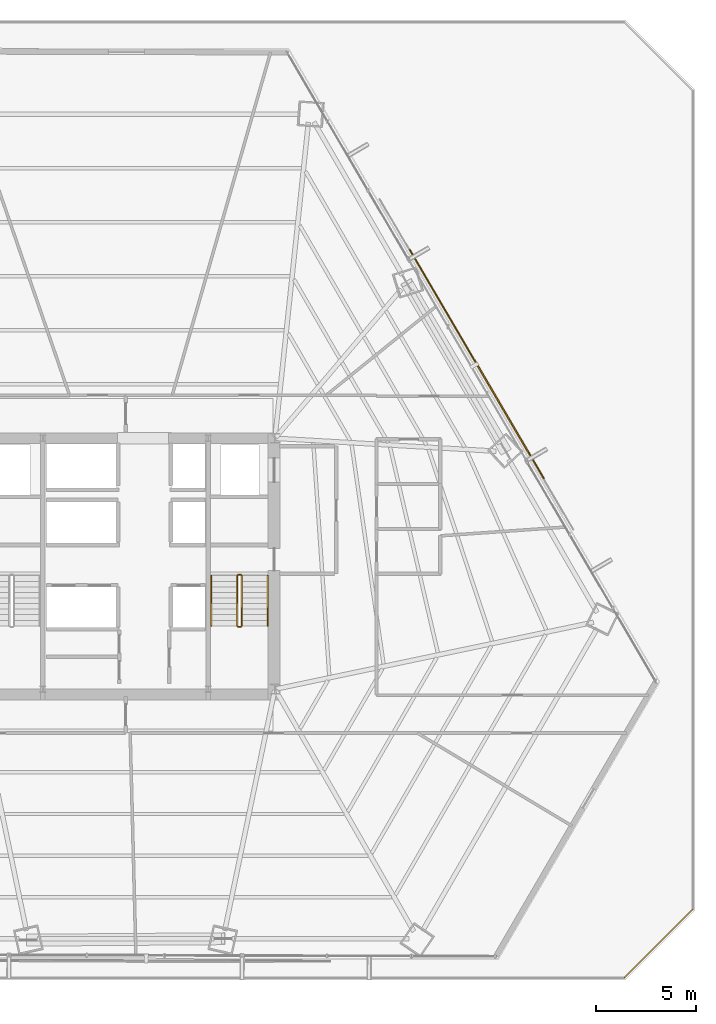
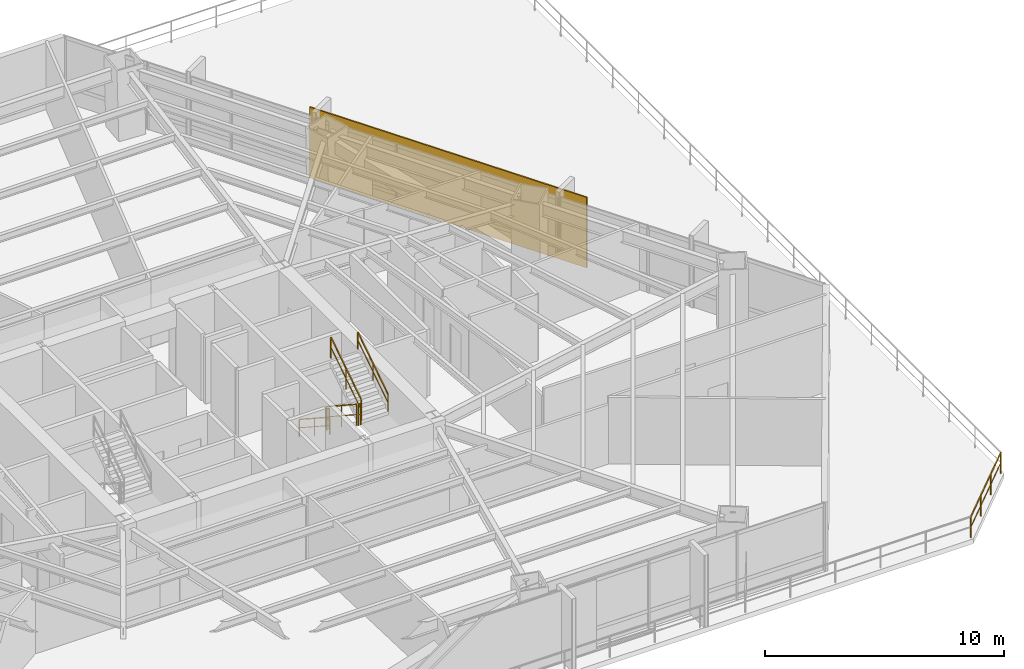
# One storey, part 34 of 35: 7 railings, 1 shading device.
"""IFC4 building model written with IfcOpenShell, lengths in metres."""

import ifcopenshell
import ifcopenshell.guid

model = None  # the IFC model being written
_history = None  # IfcOwnerHistory: only IFC2X3 demands one
_inside = {}  # id of a spatial element -> (the spatial element, [elements in it])
_under = {}  # id of a project, library or spatial element -> (it, [spatial elements below it])
_declared = {}  # id of a project -> (the project, [libraries it declares])
_typed = {}  # id of a type object -> (the type object, [elements of that type])
_made_of = {}  # id of a material, layer set ... -> (it, [elements and type objects made of it])


def new_model(schema):
    """Start an empty IFC model of exactly this schema.

    Asked for "IFC4X3", IfcOpenShell would pick the latest addendum, in which some entities
    have other attributes; the version numbers below select the first issue.
    IFC2X3 requires an IfcOwnerHistory on every rooted entity: one is made here for all.
    """
    global model, _history
    if schema == "IFC4X3":
        model = ifcopenshell.file(schema_version=(4, 3, 0, 0))
    else:
        model = ifcopenshell.file(schema=schema)
    _inside.clear()
    _under.clear()
    _declared.clear()
    _typed.clear()
    _made_of.clear()
    _history = None
    if model.schema == "IFC2X3":
        org = make("IfcOrganization", Name="unknown")
        user = make(
            "IfcPersonAndOrganization",
            ThePerson=make("IfcPerson", FamilyName="unknown"),
            TheOrganization=org,
        )
        app = make(
            "IfcApplication",
            ApplicationDeveloper=org,
            Version="unknown",
            ApplicationFullName="unknown",
            ApplicationIdentifier="unknown",
        )
        _history = make(
            "IfcOwnerHistory",
            OwningUser=user,
            OwningApplication=app,
            ChangeAction="ADDED",
            CreationDate=0,
        )
    return model


def make(cls, **values):
    """One entity of the class cls with the attributes given. An attribute that is None is left unset."""
    return model.create_entity(
        cls, **{name: value for name, value in values.items() if value is not None}
    )


def rooted(cls, **values):
    """An entity with a GlobalId (a new one), such as an element, a storey or a relation."""
    return make(cls, GlobalId=ifcopenshell.guid.new(), OwnerHistory=_history, **values)


def si_unit(unit_type, name, prefix=None):
    """IfcSIUnit, for example si_unit("LENGTHUNIT", "METRE", prefix="MILLI")."""
    return make("IfcSIUnit", UnitType=unit_type, Prefix=prefix, Name=name)


def assignment(units):
    """IfcUnitAssignment: the units of a project."""
    return None if units is None else make("IfcUnitAssignment", Units=units)


def point(xyz):
    """IfcCartesianPoint."""
    return None if xyz is None else make("IfcCartesianPoint", Coordinates=xyz)


def direction(xyz):
    """IfcDirection."""
    return None if xyz is None else make("IfcDirection", DirectionRatios=xyz)


def frame(location, z_axis=None, x_axis=None):
    """IfcAxis2Placement3D, a coordinate frame: its origin and axes. An axis left out is left unset."""
    return make(
        "IfcAxis2Placement3D",
        Location=point(location),
        Axis=direction(z_axis),
        RefDirection=direction(x_axis),
    )


def frame_2d(location, x_axis=None):
    """IfcAxis2Placement2D, a coordinate frame in the plane: its origin and x axis."""
    return make(
        "IfcAxis2Placement2D", Location=point(location), RefDirection=direction(x_axis)
    )


def origin():
    """The frame at (0, 0, 0) with its axes left unset."""
    return frame((0.0, 0.0, 0.0))


def origin_2d():
    """The frame at (0, 0) in the plane with its x axis left unset."""
    return frame_2d((0.0, 0.0))


def place(relative_to, where):
    """IfcLocalPlacement: puts the frame where relative to a parent placement (None: the world)."""
    return make(
        "IfcLocalPlacement", PlacementRelTo=relative_to, RelativePlacement=where
    )


def context(
    kind, dimensions, precision=None, world=None, true_north=None, identifier=None
):
    """IfcGeometricRepresentationContext, for example the 3D "Model" context."""
    return make(
        "IfcGeometricRepresentationContext",
        ContextIdentifier=identifier,
        ContextType=kind,
        CoordinateSpaceDimension=dimensions,
        Precision=precision,
        WorldCoordinateSystem=world,
        TrueNorth=true_north,
    )


def subcontext(parent, identifier, kind, view, scale=None):
    """IfcGeometricRepresentationSubContext, for example "Body" below "Model"."""
    return make(
        "IfcGeometricRepresentationSubContext",
        ContextIdentifier=identifier,
        ContextType=kind,
        ParentContext=parent,
        TargetScale=scale,
        TargetView=view,
    )


def project(units=None, contexts=None):
    """IfcProject with its units and contexts."""
    return rooted(
        "IfcProject",
        Name="project",
        RepresentationContexts=contexts,
        UnitsInContext=assignment(units),
    )


def spatial(cls, under=None, at=None, **own):
    """A site, building, storey or space (cls), placed at a placement, below another one or the project."""
    s = rooted(cls, ObjectPlacement=at, **own)
    if under is not None:
        _under.setdefault(under.id(), (under, []))[1].append(s)
    return s


def profile(cls, at=None, kind="AREA", **sizes):
    """A parametric profile (cls). Its sizes go by their IFC names, for example OverallWidth=200.0."""
    return make(cls, ProfileType=kind, Position=at, **sizes)


def rectangle(**sizes):
    """IfcRectangleProfileDef."""
    return profile("IfcRectangleProfileDef", **sizes)


def extrude(swept, where, along, depth):
    """IfcExtrudedAreaSolid: the profile swept, set in the frame where, extruded along a direction by depth."""
    return make(
        "IfcExtrudedAreaSolid",
        SweptArea=swept,
        Position=where,
        ExtrudedDirection=direction(along),
        Depth=depth,
    )


def shape(context_of_items, identifier, shape_type, items):
    """IfcShapeRepresentation: the items that make up one representation, for example the "Body"."""
    return make(
        "IfcShapeRepresentation",
        ContextOfItems=context_of_items,
        RepresentationIdentifier=identifier,
        RepresentationType=shape_type,
        Items=items,
    )


def source(mapping_origin, context_of_items, identifier, shape_type, items):
    """IfcRepresentationMap: a shape defined once, which mapped items show again and again."""
    return make(
        "IfcRepresentationMap",
        MappingOrigin=mapping_origin,
        MappedRepresentation=shape(context_of_items, identifier, shape_type, items),
    )


def transform(
    local_origin,
    x_axis=None,
    y_axis=None,
    z_axis=None,
    scale=None,
    scale2=None,
    scale3=None,
    uniform=True,
):
    """IfcCartesianTransformationOperator3D, or its non-uniform kind. x_axis, y_axis, z_axis: its Axis1, 2, 3."""
    if uniform:
        return make(
            "IfcCartesianTransformationOperator3D",
            Axis1=direction(x_axis),
            Axis2=direction(y_axis),
            LocalOrigin=point(local_origin),
            Scale=scale,
            Axis3=direction(z_axis),
        )
    return make(
        "IfcCartesianTransformationOperator3DnonUniform",
        Axis1=direction(x_axis),
        Axis2=direction(y_axis),
        LocalOrigin=point(local_origin),
        Scale=scale,
        Axis3=direction(z_axis),
        Scale2=scale2,
        Scale3=scale3,
    )


def mapped(mapping_source, mapping_target):
    """IfcMappedItem: shows the shape of a source again, moved by a transform."""
    return make(
        "IfcMappedItem", MappingSource=mapping_source, MappingTarget=mapping_target
    )


def material(Name=None, Category=None):
    """IfcMaterial."""
    return make("IfcMaterial", Name=Name, Category=Category)


def layer(
    of_material, thickness, ventilated=None, Name=None, Category=None, Priority=None
):
    """IfcMaterialLayer: one layer of a wall or slab, of a material (None: an air gap)."""
    return make(
        "IfcMaterialLayer",
        Material=of_material,
        LayerThickness=thickness,
        IsVentilated=ventilated,
        Name=Name,
        Category=Category,
        Priority=Priority,
    )


def layer_set(layers, Name=None):
    """IfcMaterialLayerSet."""
    return make("IfcMaterialLayerSet", MaterialLayers=layers, LayerSetName=Name)


def made_of(thing, what):
    """Note that an element or type object is made of a material, layer set ...; save() writes the relation."""
    if what is not None:
        _made_of.setdefault(what.id(), (what, []))[1].append(thing)
    return thing


def type_object(cls, material=None, **own):
    """A type object (cls), such as IfcWallType, which elements share."""
    return made_of(rooted(cls, **own), material)


def type_shapes(of_type, sources):
    """Give a type object the sources (RepresentationMaps) that its elements show as mapped items."""
    of_type.RepresentationMaps = sources


def element(
    cls,
    number,
    at=None,
    inside=None,
    cuts=None,
    type_object=None,
    material=None,
    context=None,
    identifier="Body",
    shape_type=None,
    held_by="IfcProductDefinitionShape",
    body=None,
    shapes=None,
    **own,
):
    """One element of the class cls, such as IfcWall. Its Tag is "e" and its number.

    at: its placement. inside: the storey or other place that contains it. cuts: it is an
    opening in that element (IfcRelVoidsElement). A single representation is given by context,
    identifier, shape_type and body (its items); several are given by shapes. held_by: the class
    of the entity that holds the representations. save() writes the other relations.
    """
    e = rooted(cls, Tag="e%d" % number, ObjectPlacement=at, **own)
    if body is not None:
        shapes = [shape(context, identifier, shape_type, body)]
    if shapes is not None:
        e.Representation = make(held_by, Representations=shapes)
    if inside is not None:
        _inside.setdefault(inside.id(), (inside, []))[1].append(e)
    if cuts is not None:
        rooted(
            "IfcRelVoidsElement", RelatingBuildingElement=cuts, RelatedOpeningElement=e
        )
    if type_object is not None:
        _typed.setdefault(type_object.id(), (type_object, []))[1].append(e)
    return made_of(e, material)


def aggregate(whole, parts):
    """IfcRelAggregates: a whole, such as a stair, and the parts it consists of."""
    return rooted("IfcRelAggregates", RelatingObject=whole, RelatedObjects=parts)


def save(model, path):
    """Write the relations noted so far, then the file.

    IfcRelAggregates (storeys below a building ...), IfcRelContainedInSpatialStructure (elements
    in a storey), IfcRelDefinesByType, IfcRelAssociatesMaterial and IfcRelDeclares: one each for
    every whole, place, type object, material and project.
    """
    for whole, parts in _under.values():
        aggregate(whole, parts)
    for where, things in _inside.values():
        rooted(
            "IfcRelContainedInSpatialStructure",
            RelatedElements=things,
            RelatingStructure=where,
        )
    for kind, things in _typed.values():
        rooted("IfcRelDefinesByType", RelatedObjects=things, RelatingType=kind)
    for what, things in _made_of.values():
        rooted("IfcRelAssociatesMaterial", RelatedObjects=things, RelatingMaterial=what)
    for by, libraries in _declared.values():
        rooted("IfcRelDeclares", RelatingContext=by, RelatedDefinitions=libraries)
    model.write(path)


model = new_model("IFC4")

# Units and contexts
model_context = context("Model", 3, precision=1e-05, world=origin(), true_north=direction((0.0, 1.0)))
body_context = subcontext(model_context, "Body", "Model", "MODEL_VIEW")
ifc_project = project(units=[si_unit("LENGTHUNIT", "METRE"), si_unit("AREAUNIT", "SQUARE_METRE"), si_unit("VOLUMEUNIT", "CUBIC_METRE"), si_unit("PLANEANGLEUNIT", "RADIAN"), si_unit("MASSUNIT", "GRAM", prefix="KILO")], contexts=[model_context])

# Site, building, storey
site_placement = place(None, origin())
site = spatial("IfcSite", under=ifc_project, at=site_placement, CompositionType="ELEMENT")
building_placement = place(site_placement, origin())
building = spatial("IfcBuilding", under=site, at=building_placement, Name="Caelisora Broadcast Tower", CompositionType="ELEMENT")
storey_placement = place(building_placement, frame((0.0, 0.0, 27.60009765625)))
storey = spatial("IfcBuildingStorey", under=building, at=storey_placement, Name="L06", CompositionType="ELEMENT", Elevation=27.60009765625)

# Railings
ifc_material_1 = material(Name="Laminated Glass and Stainless Steel Terrace Balustrade", Category="steel")
ifc_layer_1 = layer(ifc_material_1, 0.048095703125, Name="Laminated Glass and Stainless Steel Terrace Balustrade")
ifc_layer_set_1 = layer_set([ifc_layer_1], Name="Laminated Glass and Stainless Steel Terrace Balustrade")
railing_type_1 = type_object("IfcRailingType", Name="BL-1", PredefinedType="BALUSTRADE", material=ifc_layer_set_1)
railing_1_placement = place(storey_placement, frame((66.47998046875, 6.35009765625, 0.0)))
element("IfcRailing", 1, at=railing_1_placement, inside=storey, type_object=railing_type_1, Name="L06 balustrade BL-1 #07", PredefinedType="BALUSTRADE", context=body_context, shape_type="SweptSolid", body=[
    extrude(rectangle(XDim=0.048095703125, YDim=0.048095703125, at=origin_2d()), frame((0.0, 0.0, 1.076171875), z_axis=(-0.707081615901, -0.707131945577, 0.0), x_axis=(0.707131945577, -0.707081615901, 0.0)), (0.0, 0.0, 1.0), 4.850830078125),
    extrude(rectangle(XDim=0.03125, YDim=0.03125, at=origin_2d()), frame((0.0, 0.0, 0.550048828125), z_axis=(-0.707081615901, -0.707131945577, 0.0), x_axis=(0.707131945577, -0.707081615901, 0.0)), (0.0, 0.0, 1.0), 4.850830078125),
    extrude(rectangle(XDim=0.0419921875, YDim=0.0419921875, at=origin_2d()), origin(), (0.0, 0.0, 1.0), 1.052001953125),
    extrude(rectangle(XDim=0.0419921875, YDim=0.0419921875, at=origin_2d()), frame((-1.143310546875, -1.143310546875, 0.0)), (0.0, 0.0, 1.0), 1.052001953125),
    extrude(rectangle(XDim=0.0419921875, YDim=0.0419921875, at=origin_2d()), frame((-2.28662109375, -2.286865234375, 0.0)), (0.0, 0.0, 1.0), 1.052001953125),
    extrude(rectangle(XDim=0.0419921875, YDim=0.0419921875, at=origin_2d()), frame((-3.429931640625, -3.43017578125, 0.0)), (0.0, 0.0, 1.0), 1.052001953125),
])
ifc_material_2 = material(Name="Galvanised Steel Safety Guardrail", Category="steel")
ifc_layer_2 = layer(ifc_material_2, 0.048095703125, Name="Galvanised Steel Safety Guardrail")
ifc_layer_set_2 = layer_set([ifc_layer_2], Name="Galvanised Steel Safety Guardrail")
railing_type_2 = type_object("IfcRailingType", Name="GR-1", PredefinedType="GUARDRAIL", material=ifc_layer_set_2)
railing_2_placement = place(storey_placement, frame((43.610107421875, 23.10009765625, 0.182373046875)))
element("IfcRailing", 2, at=railing_2_placement, inside=storey, type_object=railing_type_2, Name="L06 ST-2 stair guard 1", PredefinedType="GUARDRAIL", context=body_context, shape_type="SweptSolid", body=[
    extrude(rectangle(XDim=0.048095703125, YDim=0.048095703125, at=origin_2d()), frame((0.0, 0.0, 1.076171875), z_axis=(0.0, -0.837749427056, 0.546054848405), x_axis=(1.0, 0.0, 0.0)), (0.0, 0.0, 1.0), 3.008056640625),
    extrude(rectangle(XDim=0.03125, YDim=0.03125, at=origin_2d()), frame((0.0, 0.0, 0.550048828125), z_axis=(0.0, -0.837749427056, 0.546054848405), x_axis=(1.0, 0.0, 0.0)), (0.0, 0.0, 1.0), 3.008056640625),
    extrude(rectangle(XDim=0.0419921875, YDim=0.0419921875, at=origin_2d()), origin(), (0.0, 0.0, 1.0), 1.052001953125),
    extrude(rectangle(XDim=0.0419921875, YDim=0.0419921875, at=origin_2d()), frame((0.0, -1.260009765625, 0.8212890625)), (0.0, 0.0, 1.0), 1.052001953125),
    extrude(rectangle(XDim=0.0419921875, YDim=0.0419921875, at=origin_2d()), frame((0.0, -2.52001953125, 1.642578125)), (0.0, 0.0, 1.0), 1.052001953125),
])
railing_3_placement = place(storey_placement, frame((43.659912109375, 20.530029296875, 1.824951171875)))
element("IfcRailing", 3, at=railing_3_placement, inside=storey, type_object=railing_type_2, Name="L06 ST-2 stair guard 2", PredefinedType="GUARDRAIL", context=body_context, shape_type="SweptSolid", body=[
    extrude(rectangle(XDim=0.048095703125, YDim=0.048095703125, at=origin_2d()), frame((0.0, 0.0, 1.076171875), z_axis=(1.0, 0.0, 0.0), x_axis=(0.0, 1.0, 0.0)), (0.0, 0.0, 1.0), 0.1201171875),
    extrude(rectangle(XDim=0.03125, YDim=0.03125, at=origin_2d()), frame((0.0, 0.0, 0.550048828125), z_axis=(1.0, 0.0, 0.0), x_axis=(0.0, 1.0, 0.0)), (0.0, 0.0, 1.0), 0.1201171875),
    extrude(rectangle(XDim=0.0419921875, YDim=0.0419921875, at=origin_2d()), origin(), (0.0, 0.0, 1.0), 1.052001953125),
    extrude(rectangle(XDim=0.0419921875, YDim=0.0419921875, at=origin_2d()), frame((0.1201171875, 0.0, 0.0)), (0.0, 0.0, 1.0), 1.052001953125),
])
railing_4_placement = place(storey_placement, frame((43.830078125, 20.580078125, 2.00732421875)))
element("IfcRailing", 4, at=railing_4_placement, inside=storey, type_object=railing_type_2, Name="L06 ST-2 stair guard 3", PredefinedType="GUARDRAIL", context=body_context, shape_type="SweptSolid", body=[
    extrude(rectangle(XDim=0.048095703125, YDim=0.048095703125, at=origin_2d()), frame((0.0, 0.0, 1.076171875), z_axis=(0.0, 0.837749427056, 0.546054848405), x_axis=(-1.0, 0.0, 0.0)), (0.0, 0.0, 1.0), 3.008056640625),
    extrude(rectangle(XDim=0.03125, YDim=0.03125, at=origin_2d()), frame((0.0, 0.0, 0.550048828125), z_axis=(0.0, 0.837749427056, 0.546054848405), x_axis=(-1.0, 0.0, 0.0)), (0.0, 0.0, 1.0), 3.008056640625),
    extrude(rectangle(XDim=0.0419921875, YDim=0.0419921875, at=origin_2d()), origin(), (0.0, 0.0, 1.0), 1.052001953125),
    extrude(rectangle(XDim=0.0419921875, YDim=0.0419921875, at=origin_2d()), frame((0.0, 1.260009765625, 0.8212890625)), (0.0, 0.0, 1.0), 1.052001953125),
    extrude(rectangle(XDim=0.0419921875, YDim=0.0419921875, at=origin_2d()), frame((0.0, 2.52001953125, 1.642578125)), (0.0, 0.0, 1.0), 1.052001953125),
])
railing_5_placement = place(storey_placement, frame((43.659912109375, 23.14990234375, 0.0)))
element("IfcRailing", 5, at=railing_5_placement, inside=storey, type_object=railing_type_2, Name="L06 ST-2 stair guard 4", PredefinedType="GUARDRAIL", context=body_context, shape_type="SweptSolid", body=[
    extrude(rectangle(XDim=0.048095703125, YDim=0.048095703125, at=origin_2d()), frame((0.0, 0.0, 1.076171875), z_axis=(1.0, 0.0, 0.0), x_axis=(0.0, 1.0, 0.0)), (0.0, 0.0, 1.0), 0.1201171875),
    extrude(rectangle(XDim=0.03125, YDim=0.03125, at=origin_2d()), frame((0.0, 0.0, 0.550048828125), z_axis=(1.0, 0.0, 0.0), x_axis=(0.0, 1.0, 0.0)), (0.0, 0.0, 1.0), 0.1201171875),
    extrude(rectangle(XDim=0.0419921875, YDim=0.0419921875, at=origin_2d()), origin(), (0.0, 0.0, 1.0), 1.052001953125),
    extrude(rectangle(XDim=0.0419921875, YDim=0.0419921875, at=origin_2d()), frame((0.1201171875, 0.0, 0.0)), (0.0, 0.0, 1.0), 1.052001953125),
])
ifc_material_3 = material(Name="Stainless Steel Grade 316 Tubular Handrail", Category="steel")
ifc_layer_3 = layer(ifc_material_3, 0.048095703125, Name="Stainless Steel Grade 316 Tubular Handrail")
ifc_layer_set_3 = layer_set([ifc_layer_3], Name="Stainless Steel Grade 316 Tubular Handrail")
railing_type_3 = type_object("IfcRailingType", Name="HR-1", PredefinedType="HANDRAIL", material=ifc_layer_set_3)
railing_6_placement = place(storey_placement, frame((42.31005859375, 23.10009765625, 0.182373046875)))
element("IfcRailing", 6, at=railing_6_placement, inside=storey, type_object=railing_type_3, Name="L06 ST-2 stair handrail 1", PredefinedType="HANDRAIL", context=body_context, shape_type="SweptSolid", body=[
    extrude(rectangle(XDim=0.048095703125, YDim=0.048095703125, at=origin_2d()), frame((0.0, 0.0, 0.8759765625), z_axis=(0.0, -0.837749427056, 0.546054848405), x_axis=(1.0, 0.0, 0.0)), (0.0, 0.0, 1.0), 3.008056640625),
    extrude(rectangle(XDim=0.03125, YDim=0.03125, at=origin_2d()), frame((0.0, 0.0, 0.449951171875), z_axis=(0.0, -0.837749427056, 0.546054848405), x_axis=(1.0, 0.0, 0.0)), (0.0, 0.0, 1.0), 3.008056640625),
    extrude(rectangle(XDim=0.0419921875, YDim=0.0419921875, at=origin_2d()), origin(), (0.0, 0.0, 1.0), 0.851806640625),
    extrude(rectangle(XDim=0.0419921875, YDim=0.0419921875, at=origin_2d()), frame((0.0, -1.260009765625, 0.8212890625)), (0.0, 0.0, 1.0), 0.851806640625),
    extrude(rectangle(XDim=0.0419921875, YDim=0.0419921875, at=origin_2d()), frame((0.0, -2.52001953125, 1.642578125)), (0.0, 0.0, 1.0), 0.851806640625),
])
railing_7_placement = place(storey_placement, frame((45.1298828125, 20.580078125, 2.00732421875)))
element("IfcRailing", 7, at=railing_7_placement, inside=storey, type_object=railing_type_3, Name="L06 ST-2 stair handrail 2", PredefinedType="HANDRAIL", context=body_context, shape_type="SweptSolid", body=[
    extrude(rectangle(XDim=0.048095703125, YDim=0.048095703125, at=origin_2d()), frame((0.0, 0.0, 0.8759765625), z_axis=(0.0, 0.837749427056, 0.546054848405), x_axis=(-1.0, 0.0, 0.0)), (0.0, 0.0, 1.0), 3.008056640625),
    extrude(rectangle(XDim=0.03125, YDim=0.03125, at=origin_2d()), frame((0.0, 0.0, 0.449951171875), z_axis=(0.0, 0.837749427056, 0.546054848405), x_axis=(-1.0, 0.0, 0.0)), (0.0, 0.0, 1.0), 3.008056640625),
    extrude(rectangle(XDim=0.0419921875, YDim=0.0419921875, at=origin_2d()), origin(), (0.0, 0.0, 1.0), 0.851806640625),
    extrude(rectangle(XDim=0.0419921875, YDim=0.0419921875, at=origin_2d()), frame((0.0, 1.260009765625, 0.8212890625)), (0.0, 0.0, 1.0), 0.851806640625),
    extrude(rectangle(XDim=0.0419921875, YDim=0.0419921875, at=origin_2d()), frame((0.0, 2.52001953125, 1.642578125)), (0.0, 0.0, 1.0), 0.851806640625),
])

# Shading device
ifc_material_4 = material(Name="Perforated Glazed Terracotta Baguette Solar Screen", Category="ceramic")
ifc_layer_4 = layer(ifc_material_4, 0.06494140625, Name="Perforated Glazed Terracotta Baguette Solar Screen")
ifc_layer_set_4 = layer_set([ifc_layer_4], Name="Perforated Glazed Terracotta Baguette Solar Screen")
shading_device_type = type_object("IfcShadingDeviceType", Name="SS-1", PredefinedType="USERDEFINED", material=ifc_layer_set_4)
shared_shape = source(origin(), body_context, "Body", "SweptSolid", [
    extrude(rectangle(XDim=13.3330078125, YDim=0.06494140625, at=origin_2d()), origin(), (0.0, 0.0, 1.0), 3.590087890625),
])
type_shapes(shading_device_type, [shared_shape])
shading_device_placement = place(storey_placement, frame((55.632080078125, 33.724853515625, 0.0), z_axis=(0.0, 0.0, 1.0), x_axis=(-0.505582083675, 0.862778509623, 0.0)))
element("IfcShadingDevice", 8, at=shading_device_placement, inside=storey, type_object=shading_device_type, Name="L06 perforated terracotta solar screen #3", ObjectType="SOLAR SCREEN", PredefinedType="USERDEFINED", context=body_context, shape_type="MappedRepresentation", body=[
    mapped(shared_shape, transform((0.0, 0.0, 0.0), scale=1.0)),
])

save(model, "model.ifc")
